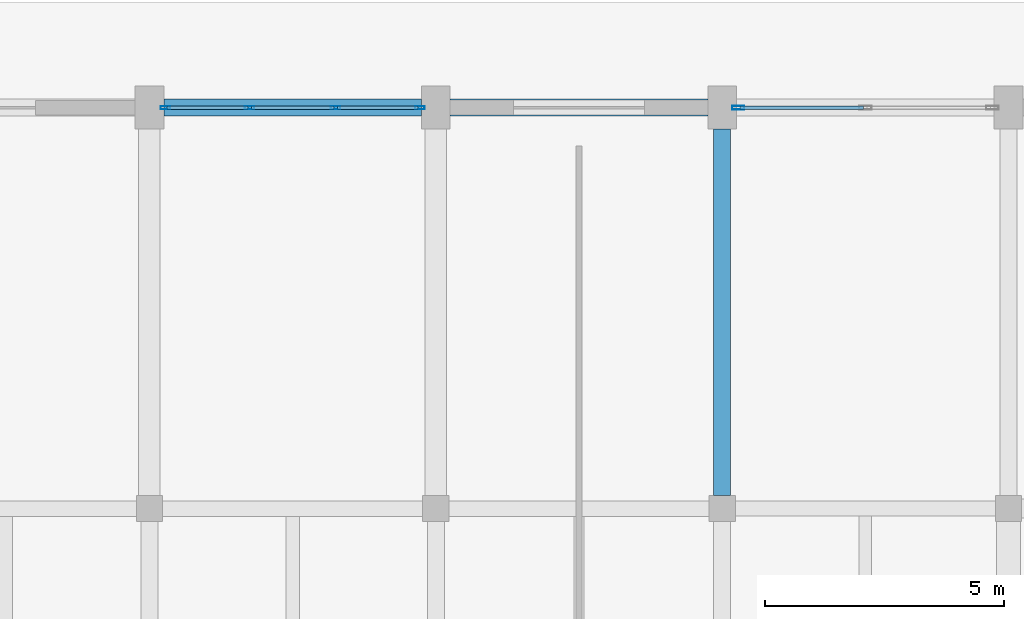
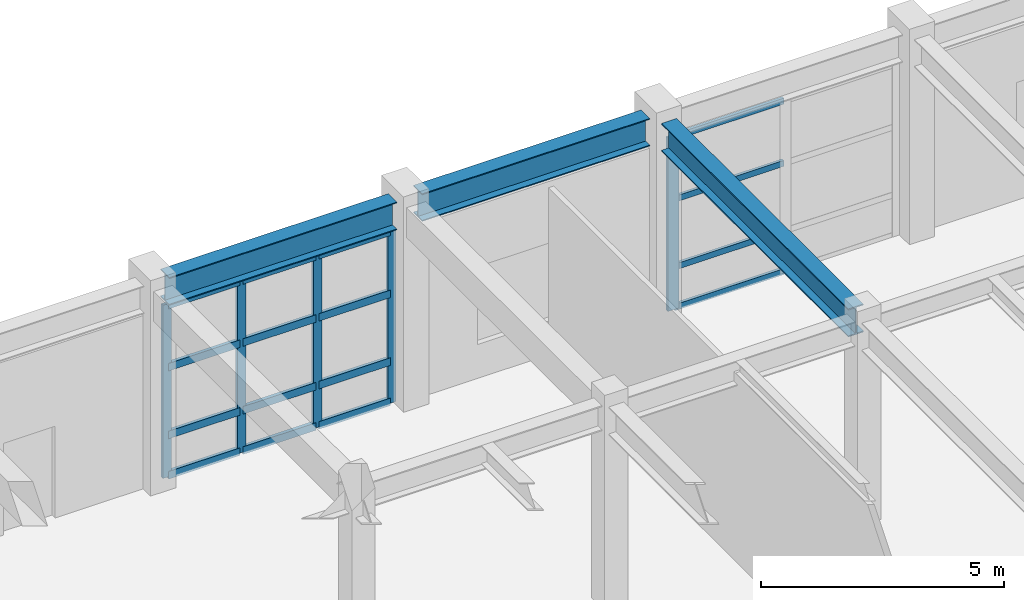
# One storey, part 40 of 91: 21 members, 3 beams, 2 elements without a shape of their own.
"""IFC4 building model written with IfcOpenShell, lengths in metres."""

from ifc_helpers import new_model, si_unit, direction, frame, origin, origin_2d, place, context, subcontext, project, spatial, hollow_rectangle, i_section, extrude, material, layer, layer_set, material_profile, profile_set, type_object, element, aggregate, save


model = new_model("IFC4")

# Units and contexts
model_context = context("Model", 3, precision=1e-05, world=origin(), true_north=direction((0.0, 1.0)))
body_context = subcontext(model_context, "Body", "Model", "MODEL_VIEW")
ifc_project = project(units=[si_unit("LENGTHUNIT", "METRE"), si_unit("AREAUNIT", "SQUARE_METRE"), si_unit("VOLUMEUNIT", "CUBIC_METRE"), si_unit("PLANEANGLEUNIT", "RADIAN"), si_unit("MASSUNIT", "GRAM", prefix="KILO")], contexts=[model_context])

# Site, building, storey
site_placement = place(None, origin())
site = spatial("IfcSite", under=ifc_project, at=site_placement, CompositionType="ELEMENT")
building_placement = place(site_placement, origin())
building = spatial("IfcBuilding", under=site, at=building_placement, Name="Vaelkrest Opera House", CompositionType="ELEMENT")
storey_placement = place(building_placement, origin())
storey = spatial("IfcBuildingStorey", under=building, at=storey_placement, Name="L00", CompositionType="ELEMENT", Elevation=0.0)

# Beam
ifc_material_1 = material(Name="Steel A992 Gr50", Category="steel")
ifc_material_profile_1 = material_profile(ifc_material_1, i_section(OverallWidth=0.35791015625, OverallDepth=0.7060546875, WebThickness=0.018310546875, FlangeThickness=0.0302734375, at=origin_2d()), Name="W27X178")
ifc_profile_set_1 = profile_set([ifc_material_profile_1], Name="Steel A992 Gr50")
beam_type_1 = type_object("IfcBeamType", Name="B14", PredefinedType="BEAM", material=ifc_profile_set_1)
beam_placement = place(storey_placement, frame((-51.60009765625, 33.875, 4.751953125), z_axis=(0.0, 1.0, 0.0), x_axis=(-1.0, 0.0, 0.0)))
element("IfcBeam", 1, at=beam_placement, inside=storey, type_object=beam_type_1, Name="Beam BM-V3-L00-1458", PredefinedType="BEAM", context=body_context, shape_type="SweptSolid", body=[
    extrude(i_section(OverallWidth=0.35791015625, OverallDepth=0.7060546875, WebThickness=0.018310546875, FlangeThickness=0.0302734375, at=origin_2d()), origin(), (0.0, 0.0, 1.0), 7.675048828125),
])

# Curtain wall, members
ifc_material_2 = material(Name="Dark bronze anodized aluminium", Category="aluminium")
ifc_layer_1 = layer(ifc_material_2, 0.22998046875)
ifc_layer_set_1 = layer_set([ifc_layer_1], Name="Dark bronze anodized aluminium")
curtain_wall_type_1 = type_object("IfcCurtainWallType", Name="CW06", PredefinedType="NOTDEFINED", material=ifc_layer_set_1)
curtain_wall_1_placement = place(storey_placement, origin())
curtain_wall_1 = element("IfcCurtainWall", 2, at=curtain_wall_1_placement, inside=storey, type_object=curtain_wall_type_1, Name="Curtain wall CW-L00-093", PredefinedType="NOTDEFINED")
ifc_material_profile_2 = material_profile(ifc_material_2, hollow_rectangle(XDim=0.070068359375, YDim=0.199951171875, WallThickness=0.004150390625, at=origin_2d()), Name="CWM70X200")
ifc_profile_set_2 = profile_set([ifc_material_profile_2], Name="Dark bronze anodized aluminium")
member_type_1 = type_object("IfcMemberType", Name="CWM02", PredefinedType="MULLION", material=ifc_profile_set_2)
member_1_placement = place(storey_placement, frame((-63.26708984375, 42.0, 0.0), z_axis=(0.0, 0.0, 1.0), x_axis=(0.0, 1.0, 0.0)))
member_1 = element("IfcMember", 3, at=member_1_placement, type_object=member_type_1, Name="CW06 mullion 1", PredefinedType="MULLION", context=body_context, shape_type="SweptSolid", body=[
    extrude(hollow_rectangle(XDim=0.070068359375, YDim=0.199951171875, WallThickness=0.004150390625, at=origin_2d()), origin(), (0.0, 0.0, 1.0), 4.344970703125),
])
member_2_placement = place(storey_placement, frame((-61.500732421875, 42.0, 0.0), z_axis=(0.0, 0.0, 1.0), x_axis=(0.0, 1.0, 0.0)))
member_2 = element("IfcMember", 4, at=member_2_placement, type_object=member_type_1, Name="CW06 mullion 2", PredefinedType="MULLION", context=body_context, shape_type="SweptSolid", body=[
    extrude(hollow_rectangle(XDim=0.070068359375, YDim=0.199951171875, WallThickness=0.004150390625, at=origin_2d()), origin(), (0.0, 0.0, 1.0), 4.344970703125),
])
member_3_placement = place(storey_placement, frame((-59.69921875, 42.0, 0.0), z_axis=(0.0, 0.0, 1.0), x_axis=(0.0, 1.0, 0.0)))
member_3 = element("IfcMember", 5, at=member_3_placement, type_object=member_type_1, Name="CW06 mullion 3", PredefinedType="MULLION", context=body_context, shape_type="SweptSolid", body=[
    extrude(hollow_rectangle(XDim=0.070068359375, YDim=0.199951171875, WallThickness=0.004150390625, at=origin_2d()), origin(), (0.0, 0.0, 1.0), 4.344970703125),
])
member_4_placement = place(storey_placement, frame((-57.93310546875, 42.0, 0.0), z_axis=(0.0, 0.0, 1.0), x_axis=(0.0, 1.0, 0.0)))
member_4 = element("IfcMember", 6, at=member_4_placement, type_object=member_type_1, Name="CW06 mullion 4", PredefinedType="MULLION", context=body_context, shape_type="SweptSolid", body=[
    extrude(hollow_rectangle(XDim=0.070068359375, YDim=0.199951171875, WallThickness=0.004150390625, at=origin_2d()), origin(), (0.0, 0.0, 1.0), 4.344970703125),
])

ifc_layer_2 = layer(ifc_material_2, 0.25)
ifc_layer_set_2 = layer_set([ifc_layer_2], Name="Dark bronze anodized aluminium")
curtain_wall_type_2 = type_object("IfcCurtainWallType", Name="CW08", PredefinedType="NOTDEFINED", material=ifc_layer_set_2)
curtain_wall_2_placement = place(storey_placement, origin())
curtain_wall_2 = element("IfcCurtainWall", 7, at=curtain_wall_2_placement, inside=storey, type_object=curtain_wall_type_2, Name="Curtain wall CW-L00-094", PredefinedType="NOTDEFINED")
ifc_material_profile_3 = material_profile(ifc_material_2, hollow_rectangle(XDim=0.080078125, YDim=0.260009765625, WallThickness=0.0048828125, at=origin_2d()), Name="CWM80X260")
ifc_profile_set_3 = profile_set([ifc_material_profile_3], Name="Dark bronze anodized aluminium")
member_type_2 = type_object("IfcMemberType", Name="CWM04", PredefinedType="MULLION", material=ifc_profile_set_3)
member_5_placement = place(storey_placement, frame((-51.261962890625, 42.0, 0.0), z_axis=(0.0, 0.0, 1.0), x_axis=(0.0, 1.0, 0.0)))
member_5 = element("IfcMember", 8, at=member_5_placement, type_object=member_type_2, Name="CW08 mullion 1", PredefinedType="MULLION", context=body_context, shape_type="SweptSolid", body=[
    extrude(hollow_rectangle(XDim=0.080078125, YDim=0.260009765625, WallThickness=0.0048828125, at=origin_2d()), origin(), (0.0, 0.0, 1.0), 4.344970703125),
])
ifc_material_profile_4 = material_profile(ifc_material_2, hollow_rectangle(XDim=0.070068359375, YDim=0.14990234375, WallThickness=0.004150390625, at=origin_2d()), Name="CWT70X150")
ifc_profile_set_4 = profile_set([ifc_material_profile_4], Name="Dark bronze anodized aluminium")
member_type_3 = type_object("IfcMemberType", Name="CWT02", PredefinedType="USERDEFINED", material=ifc_profile_set_4)
member_6_placement = place(storey_placement, frame((-51.221923828125, 42.0, 0.034912109375), z_axis=(1.0, 0.0, 0.0), x_axis=(0.0, 1.0, 0.0)))
member_6 = element("IfcMember", 9, at=member_6_placement, type_object=member_type_3, Name="CW08 transom 1.1", ObjectType="TRANSOM", PredefinedType="USERDEFINED", context=body_context, shape_type="SweptSolid", body=[
    extrude(hollow_rectangle(XDim=0.070068359375, YDim=0.14990234375, WallThickness=0.004150390625, at=origin_2d()), origin(), (0.0, 0.0, 1.0), 2.58203125),
])
member_7_placement = place(storey_placement, frame((-51.221923828125, 42.0, 1.050048828125), z_axis=(1.0, 0.0, 0.0), x_axis=(0.0, 1.0, 0.0)))
member_7 = element("IfcMember", 10, at=member_7_placement, type_object=member_type_3, Name="CW08 transom 1.2", ObjectType="TRANSOM", PredefinedType="USERDEFINED", context=body_context, shape_type="SweptSolid", body=[
    extrude(hollow_rectangle(XDim=0.070068359375, YDim=0.14990234375, WallThickness=0.004150390625, at=origin_2d()), origin(), (0.0, 0.0, 1.0), 2.58203125),
])
member_8_placement = place(storey_placement, frame((-51.221923828125, 42.0, 2.75), z_axis=(1.0, 0.0, 0.0), x_axis=(0.0, 1.0, 0.0)))
member_8 = element("IfcMember", 11, at=member_8_placement, type_object=member_type_3, Name="CW08 transom 1.3", ObjectType="TRANSOM", PredefinedType="USERDEFINED", context=body_context, shape_type="SweptSolid", body=[
    extrude(hollow_rectangle(XDim=0.070068359375, YDim=0.14990234375, WallThickness=0.004150390625, at=origin_2d()), origin(), (0.0, 0.0, 1.0), 2.58203125),
])
member_9_placement = place(storey_placement, frame((-51.221923828125, 42.0, 4.31005859375), z_axis=(1.0, 0.0, 0.0), x_axis=(0.0, 1.0, 0.0)))
member_9 = element("IfcMember", 12, at=member_9_placement, type_object=member_type_3, Name="CW08 transom 1.4", ObjectType="TRANSOM", PredefinedType="USERDEFINED", context=body_context, shape_type="SweptSolid", body=[
    extrude(hollow_rectangle(XDim=0.070068359375, YDim=0.14990234375, WallThickness=0.004150390625, at=origin_2d()), origin(), (0.0, 0.0, 1.0), 2.58203125),
])
aggregate(curtain_wall_2, [member_5, member_6, member_7, member_8, member_9])

# Member
ifc_material_profile_5 = material_profile(ifc_material_2, hollow_rectangle(XDim=0.080078125, YDim=0.18994140625, WallThickness=0.0048828125, at=origin_2d()), Name="CWT80X190")
ifc_profile_set_5 = profile_set([ifc_material_profile_5], Name="Dark bronze anodized aluminium")
member_type_4 = type_object("IfcMemberType", Name="CWT04", PredefinedType="USERDEFINED", material=ifc_profile_set_5)
member_10_placement = place(storey_placement, frame((-63.23193359375, 42.0, 0.0400390625), z_axis=(1.0, 0.0, 0.0), x_axis=(0.0, 1.0, 0.0)))
member_10 = element("IfcMember", 13, at=member_10_placement, type_object=member_type_4, Name="CW06 transom 1.1", ObjectType="TRANSOM", PredefinedType="USERDEFINED", context=body_context, shape_type="SweptSolid", body=[
    extrude(hollow_rectangle(XDim=0.080078125, YDim=0.18994140625, WallThickness=0.0048828125, at=origin_2d()), origin(), (0.0, 0.0, 1.0), 1.6962890625),
])

member_11_placement = place(storey_placement, frame((-63.23193359375, 42.0, 1.050048828125), z_axis=(1.0, 0.0, 0.0), x_axis=(0.0, 1.0, 0.0)))
member_11 = element("IfcMember", 14, at=member_11_placement, type_object=member_type_4, Name="CW06 transom 1.2", ObjectType="TRANSOM", PredefinedType="USERDEFINED", context=body_context, shape_type="SweptSolid", body=[
    extrude(hollow_rectangle(XDim=0.080078125, YDim=0.18994140625, WallThickness=0.0048828125, at=origin_2d()), origin(), (0.0, 0.0, 1.0), 1.6962890625),
])

member_12_placement = place(storey_placement, frame((-63.23193359375, 42.0, 2.75), z_axis=(1.0, 0.0, 0.0), x_axis=(0.0, 1.0, 0.0)))
member_12 = element("IfcMember", 15, at=member_12_placement, type_object=member_type_4, Name="CW06 transom 1.3", ObjectType="TRANSOM", PredefinedType="USERDEFINED", context=body_context, shape_type="SweptSolid", body=[
    extrude(hollow_rectangle(XDim=0.080078125, YDim=0.18994140625, WallThickness=0.0048828125, at=origin_2d()), origin(), (0.0, 0.0, 1.0), 1.6962890625),
])

member_13_placement = place(storey_placement, frame((-63.23193359375, 42.0, 4.304931640625), z_axis=(1.0, 0.0, 0.0), x_axis=(0.0, 1.0, 0.0)))
member_13 = element("IfcMember", 16, at=member_13_placement, type_object=member_type_4, Name="CW06 transom 1.4", ObjectType="TRANSOM", PredefinedType="USERDEFINED", context=body_context, shape_type="SweptSolid", body=[
    extrude(hollow_rectangle(XDim=0.080078125, YDim=0.18994140625, WallThickness=0.0048828125, at=origin_2d()), origin(), (0.0, 0.0, 1.0), 1.6962890625),
])

member_14_placement = place(storey_placement, frame((-61.465576171875, 42.0, 0.0400390625), z_axis=(1.0, 0.0, 0.0), x_axis=(0.0, 1.0, 0.0)))
member_14 = element("IfcMember", 17, at=member_14_placement, type_object=member_type_4, Name="CW06 transom 2.1", ObjectType="TRANSOM", PredefinedType="USERDEFINED", context=body_context, shape_type="SweptSolid", body=[
    extrude(hollow_rectangle(XDim=0.080078125, YDim=0.18994140625, WallThickness=0.0048828125, at=origin_2d()), origin(), (0.0, 0.0, 1.0), 1.731201171875),
])

member_15_placement = place(storey_placement, frame((-61.465576171875, 42.0, 1.050048828125), z_axis=(1.0, 0.0, 0.0), x_axis=(0.0, 1.0, 0.0)))
member_15 = element("IfcMember", 18, at=member_15_placement, type_object=member_type_4, Name="CW06 transom 2.2", ObjectType="TRANSOM", PredefinedType="USERDEFINED", context=body_context, shape_type="SweptSolid", body=[
    extrude(hollow_rectangle(XDim=0.080078125, YDim=0.18994140625, WallThickness=0.0048828125, at=origin_2d()), origin(), (0.0, 0.0, 1.0), 1.731201171875),
])

member_16_placement = place(storey_placement, frame((-61.465576171875, 42.0, 2.75), z_axis=(1.0, 0.0, 0.0), x_axis=(0.0, 1.0, 0.0)))
member_16 = element("IfcMember", 19, at=member_16_placement, type_object=member_type_4, Name="CW06 transom 2.3", ObjectType="TRANSOM", PredefinedType="USERDEFINED", context=body_context, shape_type="SweptSolid", body=[
    extrude(hollow_rectangle(XDim=0.080078125, YDim=0.18994140625, WallThickness=0.0048828125, at=origin_2d()), origin(), (0.0, 0.0, 1.0), 1.731201171875),
])

member_17_placement = place(storey_placement, frame((-61.465576171875, 42.0, 4.304931640625), z_axis=(1.0, 0.0, 0.0), x_axis=(0.0, 1.0, 0.0)))
member_17 = element("IfcMember", 20, at=member_17_placement, type_object=member_type_4, Name="CW06 transom 2.4", ObjectType="TRANSOM", PredefinedType="USERDEFINED", context=body_context, shape_type="SweptSolid", body=[
    extrude(hollow_rectangle(XDim=0.080078125, YDim=0.18994140625, WallThickness=0.0048828125, at=origin_2d()), origin(), (0.0, 0.0, 1.0), 1.731201171875),
])

member_18_placement = place(storey_placement, frame((-59.664306640625, 42.0, 0.0400390625), z_axis=(1.0, 0.0, 0.0), x_axis=(0.0, 1.0, 0.0)))
member_18 = element("IfcMember", 21, at=member_18_placement, type_object=member_type_4, Name="CW06 transom 3.1", ObjectType="TRANSOM", PredefinedType="USERDEFINED", context=body_context, shape_type="SweptSolid", body=[
    extrude(hollow_rectangle(XDim=0.080078125, YDim=0.18994140625, WallThickness=0.0048828125, at=origin_2d()), origin(), (0.0, 0.0, 1.0), 1.6962890625),
])

member_19_placement = place(storey_placement, frame((-59.664306640625, 42.0, 1.050048828125), z_axis=(1.0, 0.0, 0.0), x_axis=(0.0, 1.0, 0.0)))
member_19 = element("IfcMember", 22, at=member_19_placement, type_object=member_type_4, Name="CW06 transom 3.2", ObjectType="TRANSOM", PredefinedType="USERDEFINED", context=body_context, shape_type="SweptSolid", body=[
    extrude(hollow_rectangle(XDim=0.080078125, YDim=0.18994140625, WallThickness=0.0048828125, at=origin_2d()), origin(), (0.0, 0.0, 1.0), 1.6962890625),
])

member_20_placement = place(storey_placement, frame((-59.664306640625, 42.0, 2.75), z_axis=(1.0, 0.0, 0.0), x_axis=(0.0, 1.0, 0.0)))
member_20 = element("IfcMember", 23, at=member_20_placement, type_object=member_type_4, Name="CW06 transom 3.3", ObjectType="TRANSOM", PredefinedType="USERDEFINED", context=body_context, shape_type="SweptSolid", body=[
    extrude(hollow_rectangle(XDim=0.080078125, YDim=0.18994140625, WallThickness=0.0048828125, at=origin_2d()), origin(), (0.0, 0.0, 1.0), 1.6962890625),
])

member_21_placement = place(storey_placement, frame((-59.664306640625, 42.0, 4.304931640625), z_axis=(1.0, 0.0, 0.0), x_axis=(0.0, 1.0, 0.0)))
member_21 = element("IfcMember", 24, at=member_21_placement, type_object=member_type_4, Name="CW06 transom 3.4", ObjectType="TRANSOM", PredefinedType="USERDEFINED", context=body_context, shape_type="SweptSolid", body=[
    extrude(hollow_rectangle(XDim=0.080078125, YDim=0.18994140625, WallThickness=0.0048828125, at=origin_2d()), origin(), (0.0, 0.0, 1.0), 1.6962890625),
])

aggregate(curtain_wall_1, [member_1, member_2, member_3, member_4, member_10, member_11, member_12, member_13, member_14, member_15, member_16, member_17, member_18, member_19, member_20, member_21])

# Beams
ifc_material_profile_6 = material_profile(ifc_material_1, i_section(OverallWidth=0.35498046875, OverallDepth=0.695068359375, WebThickness=0.015380859375, FlangeThickness=0.02490234375, at=origin_2d()), Name="W27X146")
ifc_profile_set_6 = profile_set([ifc_material_profile_6], Name="Steel A992 Gr50")
beam_type_2 = type_object("IfcBeamType", Name="SP02", PredefinedType="SPANDREL", material=ifc_profile_set_6)
for number, where, z_axis, x_axis, name in (
    (25, (-63.300048828125, 42.0, 4.757568359375), (1.0, 0.0, 0.0), (0.0, 1.0, 0.0), "Beam BM-V3-L00-1425"),
    (26, (-57.300048828125, 42.0, 4.757568359375), (1.0, 0.0, 0.0), (0.0, 1.0, 0.0), "Beam BM-V3-L00-1426"),
):
    element("IfcBeam", number, at=place(storey_placement, frame(where, z_axis=z_axis, x_axis=x_axis)), inside=storey, type_object=beam_type_2, Name=name, PredefinedType="SPANDREL", context=body_context, shape_type="SweptSolid", body=[
        extrude(i_section(OverallWidth=0.35498046875, OverallDepth=0.695068359375, WebThickness=0.015380859375, FlangeThickness=0.02490234375, at=origin_2d()), origin(), (0.0, 0.0, 1.0), 5.400146484375),
    ])

save(model, "model.ifc")
